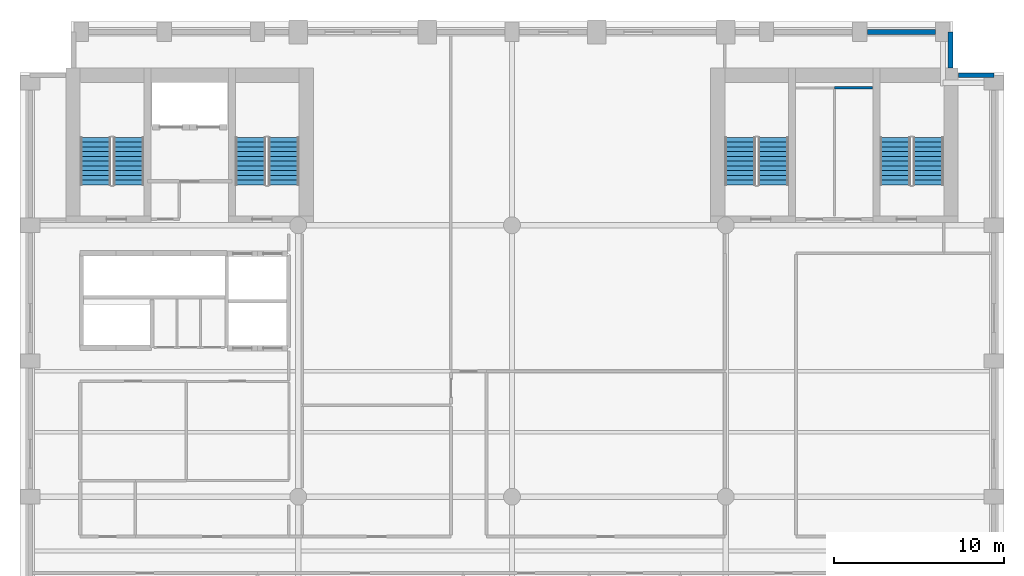
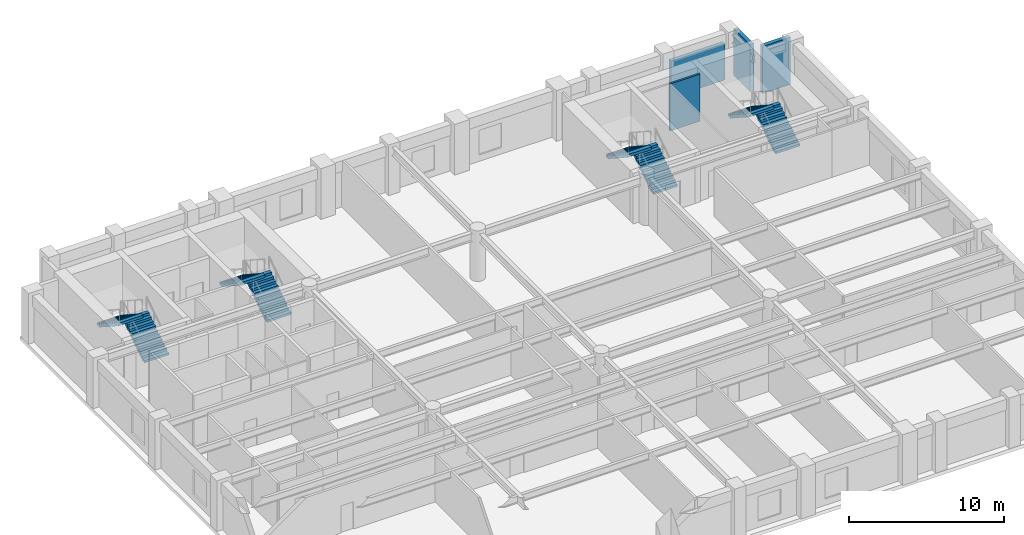
# One storey, part 6 of 8: 8 stair flights, 4 walls, 4 elements without a shape of their own.
"""IFC4 building model written with IfcOpenShell, lengths in metres."""

from ifc_helpers import new_model, si_unit, direction, frame, frame_2d, origin, place, context, subcontext, project, spatial, polyline, rectangle, outline, extrude, material, layer, layer_set, type_object, element, aggregate, save


model = new_model("IFC4")

# Units and contexts
model_context = context("Model", 3, precision=1e-05, world=origin(), true_north=direction((0.0, 1.0)))
body_context = subcontext(model_context, "Body", "Model", "MODEL_VIEW")
ifc_project = project(units=[si_unit("LENGTHUNIT", "METRE"), si_unit("AREAUNIT", "SQUARE_METRE"), si_unit("VOLUMEUNIT", "CUBIC_METRE"), si_unit("PLANEANGLEUNIT", "RADIAN"), si_unit("MASSUNIT", "GRAM", prefix="KILO")], contexts=[model_context])

# Site, building, storey
site_placement = place(None, origin())
site = spatial("IfcSite", under=ifc_project, at=site_placement, CompositionType="ELEMENT")
building_placement = place(site_placement, origin())
building = spatial("IfcBuilding", under=site, at=building_placement, Name="Sulina Concourse Tower", CompositionType="ELEMENT")
storey_placement = place(building_placement, frame((0.0, 0.0, 112.60009765625)))
storey = spatial("IfcBuildingStorey", under=building, at=storey_placement, Name="L27", CompositionType="ELEMENT", Elevation=112.60009765625)

# Walls
ifc_material_1 = material(Name="Gypsum board on steel stud", Category="steel")
ifc_layer_1 = layer(ifc_material_1, 0.14990234375)
ifc_layer_set_1 = layer_set([ifc_layer_1], Name="Gypsum board on steel stud")
wall_type_1 = type_object("IfcWallType", Name="Inter-Tenancy Acoustic Partition 150mm", PredefinedType="PARTITIONING", material=ifc_layer_set_1)
wall_1_placement = place(storey_placement, frame((48.0, 42.10009765625, 0.0), z_axis=(0.0, 0.0, 1.0), x_axis=(1.0, 0.0, 0.0)))
element("IfcWall", 1, at=wall_1_placement, inside=storey, type_object=wall_type_1, Name="L27 interior partition 029", PredefinedType="PARTITIONING", context=body_context, shape_type="SweptSolid", body=[
    extrude(rectangle(XDim=2.25, YDim=0.14990234375, at=frame_2d((1.125, 0.0))), origin(), (0.0, 0.0, 1.0), 3.724853515625),
])
ifc_material_2 = material(Name="Precast concrete C50/60", Category="concrete")
ifc_layer_2 = layer(ifc_material_2, 0.280029296875)
ifc_layer_set_2 = layer_set([ifc_layer_2], Name="Precast concrete C50/60")
wall_type_2 = type_object("IfcWallType", Name="Typical Precast Masonry-Frame Facade Wall 280mm", PredefinedType="SOLIDWALL", material=ifc_layer_set_2)
wall_2_placement = place(storey_placement, frame((49.945068359375, 45.39990234375, 0.0), z_axis=(0.0, 0.0, 1.0), x_axis=(1.0, 0.0, 0.0)))
element("IfcWall", 2, at=wall_2_placement, inside=storey, type_object=wall_type_2, Name="L27 exterior precast wall N10", PredefinedType="SOLIDWALL", context=body_context, shape_type="SweptSolid", body=[
    extrude(rectangle(XDim=4.010009765625, YDim=0.280029296875, at=frame_2d((2.0048828125, 0.0))), origin(), (0.0, 0.0, 1.0), 2.875),
])
wall_3_placement = place(storey_placement, frame((54.844970703125, 45.39990234375, 0.0), z_axis=(0.0, 0.0, 1.0), x_axis=(0.0, -1.0, 0.0)))
element("IfcWall", 3, at=wall_3_placement, inside=storey, type_object=wall_type_2, Name="L27 exterior precast wall CNE1", PredefinedType="SOLIDWALL", context=body_context, shape_type="SweptSolid", body=[
    extrude(rectangle(XDim=2.114990234375, YDim=0.280029296875, at=frame_2d((1.0576171875, 0.0))), origin(), (0.0, 0.0, 1.0), 3.724853515625),
])
wall_4_placement = place(storey_placement, frame((55.304931640625, 42.844970703125, 0.0), z_axis=(0.0, 0.0, 1.0), x_axis=(1.0, 0.0, 0.0)))
element("IfcWall", 4, at=wall_4_placement, inside=storey, type_object=wall_type_2, Name="L27 exterior precast wall CNE2", PredefinedType="SOLIDWALL", context=body_context, shape_type="SweptSolid", body=[
    extrude(rectangle(XDim=2.094970703125, YDim=0.280029296875, at=frame_2d((1.04736328125, 0.0))), origin(), (0.0, 0.0, 1.0), 3.724853515625),
])

# Stair, stair flights
ifc_material_3 = material(Name="Concrete C50/60", Category="concrete")
stair_type_1 = type_object("IfcStairType", Name="Portal & Podium Core Exit Stair 1820mm", PredefinedType="HALF_TURN_STAIR", material=ifc_material_3)
stair_1_placement = place(storey_placement, origin())
stair_1 = element("IfcStair", 5, at=stair_1_placement, inside=storey, type_object=stair_type_1, Name="L27 ST-3", PredefinedType="HALF_TURN_STAIR")
ifc_material_4 = material(Name="Concrete C50/60", Category="concrete")
stair_flight_type_1 = type_object("IfcStairFlightType", Name="Portal & Podium Core Exit Stair 1820mm Flight", PredefinedType="STRAIGHT", material=ifc_material_4)
stair_flight_1_placement = place(storey_placement, frame((44.405029296875, 36.375, 0.0), z_axis=(0.0, 0.0, 1.0), x_axis=(0.0, 1.0, 0.0)))
stair_flight_1 = element("IfcStairFlight", 6, at=stair_flight_1_placement, type_object=stair_flight_type_1, Name="ST-3 flight 1", NumberOfRisers=11, NumberOfTreads=10, PredefinedType="STRAIGHT", RiserHeight=0.181818182, TreadLength=0.28, context=body_context, shape_type="SweptSolid", body=[
    extrude(outline(polyline([(0.0, 0.0), (0.0, 0.181884765625), (0.280029296875, 0.181884765625), (0.280029296875, 0.363525390625), (0.56005859375, 0.363525390625), (0.56005859375, 0.54541015625), (0.840087890625, 0.54541015625), (0.840087890625, 0.727294921875), (1.1201171875, 0.727294921875), (1.1201171875, 0.9091796875), (1.39990234375, 0.9091796875), (1.39990234375, 1.0908203125), (1.679931640625, 1.0908203125), (1.679931640625, 1.272705078125), (1.9599609375, 1.272705078125), (1.9599609375, 1.45458984375), (2.239990234375, 1.45458984375), (2.239990234375, 1.636474609375), (2.52001953125, 1.636474609375), (2.52001953125, 1.818115234375), (2.800048828125, 1.818115234375), (2.800048828125, 2.0), (2.800048828125, 1.603759765625), (0.330322265625, 0.0), (0.0, 0.0)])), frame((0.0, 0.89990234375, 0.0), z_axis=(0.0, -1.0, 0.0), x_axis=(1.0, 0.0, 0.0)), (0.0, 0.0, 1.0), 1.800048828125),
])
stair_flight_2_placement = place(storey_placement, frame((42.455078125, 39.175048828125, 2.0), z_axis=(0.0, 0.0, 1.0), x_axis=(0.0, -1.0, 0.0)))
stair_flight_2 = element("IfcStairFlight", 7, at=stair_flight_2_placement, type_object=stair_flight_type_1, Name="ST-3 flight 2", NumberOfRisers=11, NumberOfTreads=10, PredefinedType="STRAIGHT", RiserHeight=0.181818182, TreadLength=0.28, context=body_context, shape_type="SweptSolid", body=[
    extrude(outline(polyline([(0.0, 0.0), (0.0, 0.181884765625), (0.280029296875, 0.181884765625), (0.280029296875, 0.363525390625), (0.56005859375, 0.363525390625), (0.56005859375, 0.54541015625), (0.840087890625, 0.54541015625), (0.840087890625, 0.727294921875), (1.1201171875, 0.727294921875), (1.1201171875, 0.9091796875), (1.39990234375, 0.9091796875), (1.39990234375, 1.0908203125), (1.679931640625, 1.0908203125), (1.679931640625, 1.272705078125), (1.9599609375, 1.272705078125), (1.9599609375, 1.45458984375), (2.239990234375, 1.45458984375), (2.239990234375, 1.636474609375), (2.52001953125, 1.636474609375), (2.52001953125, 1.818115234375), (2.800048828125, 1.818115234375), (2.800048828125, 2.0), (2.800048828125, 1.603759765625), (0.330322265625, 0.0), (0.0, 0.0)])), frame((0.0, 0.89990234375, 0.0), z_axis=(0.0, -1.0, 0.0), x_axis=(1.0, 0.0, 0.0)), (0.0, 0.0, 1.0), 1.800048828125),
])
aggregate(stair_1, [stair_flight_1, stair_flight_2])

stair_2_placement = place(storey_placement, origin())
stair_2 = element("IfcStair", 8, at=stair_2_placement, inside=storey, type_object=stair_type_1, Name="L27 ST-4", PredefinedType="HALF_TURN_STAIR")
stair_flight_3_placement = place(storey_placement, frame((53.544921875, 36.375, 0.0), z_axis=(0.0, 0.0, 1.0), x_axis=(0.0, 1.0, 0.0)))
stair_flight_3 = element("IfcStairFlight", 9, at=stair_flight_3_placement, type_object=stair_flight_type_1, Name="ST-4 flight 1", NumberOfRisers=11, NumberOfTreads=10, PredefinedType="STRAIGHT", RiserHeight=0.181818182, TreadLength=0.28, context=body_context, shape_type="SweptSolid", body=[
    extrude(outline(polyline([(0.0, 0.0), (0.0, 0.181884765625), (0.280029296875, 0.181884765625), (0.280029296875, 0.363525390625), (0.56005859375, 0.363525390625), (0.56005859375, 0.54541015625), (0.840087890625, 0.54541015625), (0.840087890625, 0.727294921875), (1.1201171875, 0.727294921875), (1.1201171875, 0.9091796875), (1.39990234375, 0.9091796875), (1.39990234375, 1.0908203125), (1.679931640625, 1.0908203125), (1.679931640625, 1.272705078125), (1.9599609375, 1.272705078125), (1.9599609375, 1.45458984375), (2.239990234375, 1.45458984375), (2.239990234375, 1.636474609375), (2.52001953125, 1.636474609375), (2.52001953125, 1.818115234375), (2.800048828125, 1.818115234375), (2.800048828125, 2.0), (2.800048828125, 1.603759765625), (0.330322265625, 0.0), (0.0, 0.0)])), frame((0.0, 0.89990234375, 0.0), z_axis=(0.0, -1.0, 0.0), x_axis=(1.0, 0.0, 0.0)), (0.0, 0.0, 1.0), 1.800048828125),
])
stair_flight_4_placement = place(storey_placement, frame((51.594970703125, 39.175048828125, 2.0), z_axis=(0.0, 0.0, 1.0), x_axis=(0.0, -1.0, 0.0)))
stair_flight_4 = element("IfcStairFlight", 10, at=stair_flight_4_placement, type_object=stair_flight_type_1, Name="ST-4 flight 2", NumberOfRisers=11, NumberOfTreads=10, PredefinedType="STRAIGHT", RiserHeight=0.181818182, TreadLength=0.28, context=body_context, shape_type="SweptSolid", body=[
    extrude(outline(polyline([(0.0, 0.0), (0.0, 0.181884765625), (0.280029296875, 0.181884765625), (0.280029296875, 0.363525390625), (0.56005859375, 0.363525390625), (0.56005859375, 0.54541015625), (0.840087890625, 0.54541015625), (0.840087890625, 0.727294921875), (1.1201171875, 0.727294921875), (1.1201171875, 0.9091796875), (1.39990234375, 0.9091796875), (1.39990234375, 1.0908203125), (1.679931640625, 1.0908203125), (1.679931640625, 1.272705078125), (1.9599609375, 1.272705078125), (1.9599609375, 1.45458984375), (2.239990234375, 1.45458984375), (2.239990234375, 1.636474609375), (2.52001953125, 1.636474609375), (2.52001953125, 1.818115234375), (2.800048828125, 1.818115234375), (2.800048828125, 2.0), (2.800048828125, 1.603759765625), (0.330322265625, 0.0), (0.0, 0.0)])), frame((0.0, 0.89990234375, 0.0), z_axis=(0.0, -1.0, 0.0), x_axis=(1.0, 0.0, 0.0)), (0.0, 0.0, 1.0), 1.800048828125),
])
aggregate(stair_2, [stair_flight_3, stair_flight_4])

ifc_material_5 = material(Name="Concrete C50/60", Category="concrete")
stair_type_2 = type_object("IfcStairType", Name="Primary Core Dog-Leg Exit Stair 1800mm", PredefinedType="HALF_TURN_STAIR", material=ifc_material_5)
stair_3_placement = place(storey_placement, origin())
stair_3 = element("IfcStair", 11, at=stair_3_placement, inside=storey, type_object=stair_type_2, Name="L27 ST-1", PredefinedType="HALF_TURN_STAIR")
ifc_material_6 = material(Name="Concrete C50/60", Category="concrete")
stair_flight_type_2 = type_object("IfcStairFlightType", Name="Primary Core Dog-Leg Exit Stair 1800mm Flight", PredefinedType="STRAIGHT", material=ifc_material_6)
stair_flight_5_placement = place(storey_placement, frame((6.405029296875, 36.375, 0.0), z_axis=(0.0, 0.0, 1.0), x_axis=(0.0, 1.0, 0.0)))
stair_flight_5 = element("IfcStairFlight", 12, at=stair_flight_5_placement, type_object=stair_flight_type_2, Name="ST-1 flight 1", NumberOfRisers=11, NumberOfTreads=10, PredefinedType="STRAIGHT", RiserHeight=0.181818182, TreadLength=0.28, context=body_context, shape_type="SweptSolid", body=[
    extrude(outline(polyline([(0.0, 0.0), (0.0, 0.181884765625), (0.280029296875, 0.181884765625), (0.280029296875, 0.363525390625), (0.56005859375, 0.363525390625), (0.56005859375, 0.54541015625), (0.840087890625, 0.54541015625), (0.840087890625, 0.727294921875), (1.1201171875, 0.727294921875), (1.1201171875, 0.9091796875), (1.39990234375, 0.9091796875), (1.39990234375, 1.0908203125), (1.679931640625, 1.0908203125), (1.679931640625, 1.272705078125), (1.9599609375, 1.272705078125), (1.9599609375, 1.45458984375), (2.239990234375, 1.45458984375), (2.239990234375, 1.636474609375), (2.52001953125, 1.636474609375), (2.52001953125, 1.818115234375), (2.800048828125, 1.818115234375), (2.800048828125, 2.0), (2.800048828125, 1.603759765625), (0.330322265625, 0.0), (0.0, 0.0)])), frame((0.0, 0.89990234375, 0.0), z_axis=(0.0, -1.0, 0.0), x_axis=(1.0, 0.0, 0.0)), (0.0, 0.0, 1.0), 1.800048828125),
])
stair_flight_6_placement = place(storey_placement, frame((4.455078125, 39.175048828125, 2.0), z_axis=(0.0, 0.0, 1.0), x_axis=(0.0, -1.0, 0.0)))
stair_flight_6 = element("IfcStairFlight", 13, at=stair_flight_6_placement, type_object=stair_flight_type_2, Name="ST-1 flight 2", NumberOfRisers=11, NumberOfTreads=10, PredefinedType="STRAIGHT", RiserHeight=0.181818182, TreadLength=0.28, context=body_context, shape_type="SweptSolid", body=[
    extrude(outline(polyline([(0.0, 0.0), (0.0, 0.181884765625), (0.280029296875, 0.181884765625), (0.280029296875, 0.363525390625), (0.56005859375, 0.363525390625), (0.56005859375, 0.54541015625), (0.840087890625, 0.54541015625), (0.840087890625, 0.727294921875), (1.1201171875, 0.727294921875), (1.1201171875, 0.9091796875), (1.39990234375, 0.9091796875), (1.39990234375, 1.0908203125), (1.679931640625, 1.0908203125), (1.679931640625, 1.272705078125), (1.9599609375, 1.272705078125), (1.9599609375, 1.45458984375), (2.239990234375, 1.45458984375), (2.239990234375, 1.636474609375), (2.52001953125, 1.636474609375), (2.52001953125, 1.818115234375), (2.800048828125, 1.818115234375), (2.800048828125, 2.0), (2.800048828125, 1.603759765625), (0.330322265625, 0.0), (0.0, 0.0)])), frame((0.0, 0.89990234375, 0.0), z_axis=(0.0, -1.0, 0.0), x_axis=(1.0, 0.0, 0.0)), (0.0, 0.0, 1.0), 1.800048828125),
])
aggregate(stair_3, [stair_flight_5, stair_flight_6])

stair_4_placement = place(storey_placement, origin())
stair_4 = element("IfcStair", 14, at=stair_4_placement, inside=storey, type_object=stair_type_2, Name="L27 ST-2", PredefinedType="HALF_TURN_STAIR")
stair_flight_7_placement = place(storey_placement, frame((15.544921875, 36.375, 0.0), z_axis=(0.0, 0.0, 1.0), x_axis=(0.0, 1.0, 0.0)))
stair_flight_7 = element("IfcStairFlight", 15, at=stair_flight_7_placement, type_object=stair_flight_type_2, Name="ST-2 flight 1", NumberOfRisers=11, NumberOfTreads=10, PredefinedType="STRAIGHT", RiserHeight=0.181818182, TreadLength=0.28, context=body_context, shape_type="SweptSolid", body=[
    extrude(outline(polyline([(0.0, 0.0), (0.0, 0.181884765625), (0.280029296875, 0.181884765625), (0.280029296875, 0.363525390625), (0.56005859375, 0.363525390625), (0.56005859375, 0.54541015625), (0.840087890625, 0.54541015625), (0.840087890625, 0.727294921875), (1.1201171875, 0.727294921875), (1.1201171875, 0.9091796875), (1.39990234375, 0.9091796875), (1.39990234375, 1.0908203125), (1.679931640625, 1.0908203125), (1.679931640625, 1.272705078125), (1.9599609375, 1.272705078125), (1.9599609375, 1.45458984375), (2.239990234375, 1.45458984375), (2.239990234375, 1.636474609375), (2.52001953125, 1.636474609375), (2.52001953125, 1.818115234375), (2.800048828125, 1.818115234375), (2.800048828125, 2.0), (2.800048828125, 1.603759765625), (0.330322265625, 0.0), (0.0, 0.0)])), frame((0.0, 0.89990234375, 0.0), z_axis=(0.0, -1.0, 0.0), x_axis=(1.0, 0.0, 0.0)), (0.0, 0.0, 1.0), 1.800048828125),
])
stair_flight_8_placement = place(storey_placement, frame((13.594970703125, 39.175048828125, 2.0), z_axis=(0.0, 0.0, 1.0), x_axis=(0.0, -1.0, 0.0)))
stair_flight_8 = element("IfcStairFlight", 16, at=stair_flight_8_placement, type_object=stair_flight_type_2, Name="ST-2 flight 2", NumberOfRisers=11, NumberOfTreads=10, PredefinedType="STRAIGHT", RiserHeight=0.181818182, TreadLength=0.28, context=body_context, shape_type="SweptSolid", body=[
    extrude(outline(polyline([(0.0, 0.0), (0.0, 0.181884765625), (0.280029296875, 0.181884765625), (0.280029296875, 0.363525390625), (0.56005859375, 0.363525390625), (0.56005859375, 0.54541015625), (0.840087890625, 0.54541015625), (0.840087890625, 0.727294921875), (1.1201171875, 0.727294921875), (1.1201171875, 0.9091796875), (1.39990234375, 0.9091796875), (1.39990234375, 1.0908203125), (1.679931640625, 1.0908203125), (1.679931640625, 1.272705078125), (1.9599609375, 1.272705078125), (1.9599609375, 1.45458984375), (2.239990234375, 1.45458984375), (2.239990234375, 1.636474609375), (2.52001953125, 1.636474609375), (2.52001953125, 1.818115234375), (2.800048828125, 1.818115234375), (2.800048828125, 2.0), (2.800048828125, 1.603759765625), (0.330322265625, 0.0), (0.0, 0.0)])), frame((0.0, 0.89990234375, 0.0), z_axis=(0.0, -1.0, 0.0), x_axis=(1.0, 0.0, 0.0)), (0.0, 0.0, 1.0), 1.800048828125),
])
aggregate(stair_4, [stair_flight_7, stair_flight_8])

save(model, "model.ifc")
